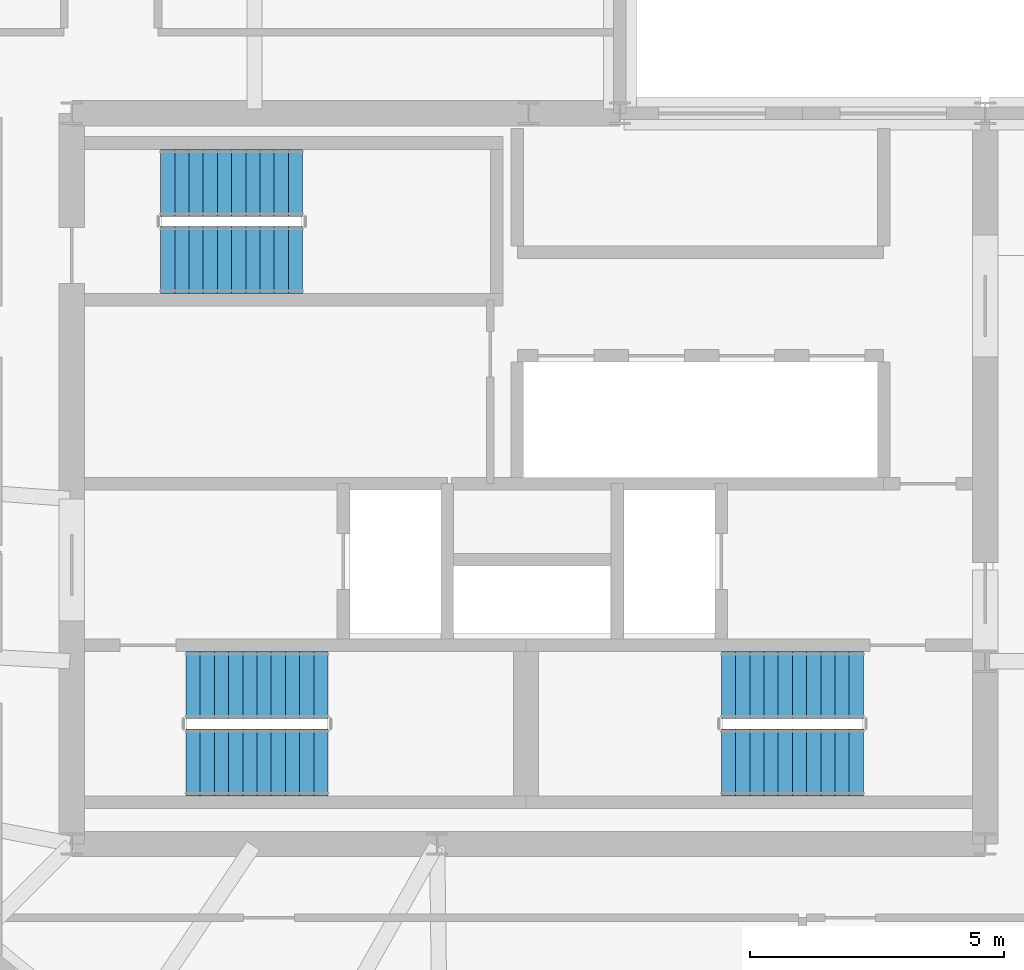
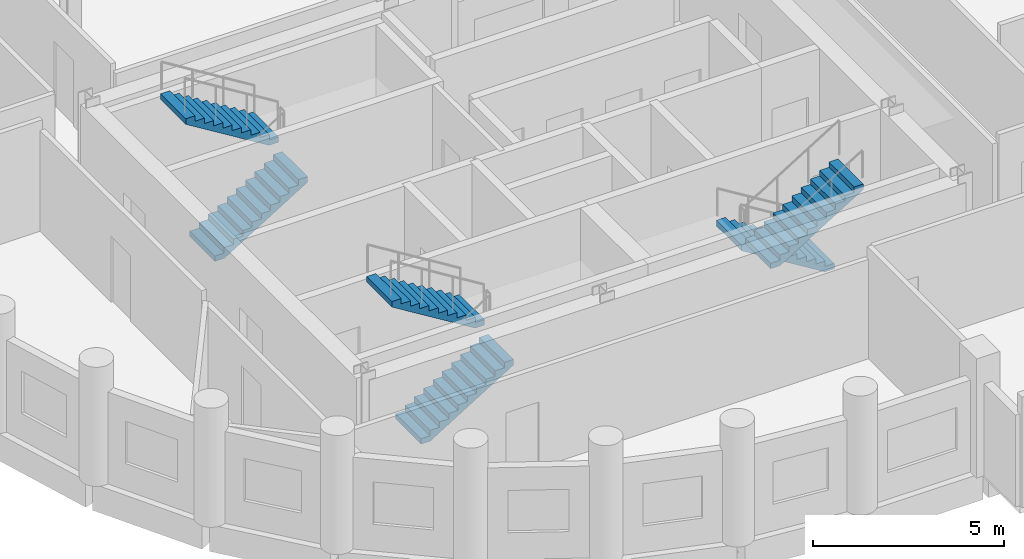
# One storey, part 6 of 7: 6 stair flights, 3 elements without a shape of their own.
"""IFC4 building model written with IfcOpenShell, lengths in metres."""

import ifcopenshell
import ifcopenshell.guid

model = None  # the IFC model being written
_history = None  # IfcOwnerHistory: only IFC2X3 demands one
_inside = {}  # id of a spatial element -> (the spatial element, [elements in it])
_under = {}  # id of a project, library or spatial element -> (it, [spatial elements below it])
_declared = {}  # id of a project -> (the project, [libraries it declares])
_typed = {}  # id of a type object -> (the type object, [elements of that type])
_made_of = {}  # id of a material, layer set ... -> (it, [elements and type objects made of it])


def new_model(schema):
    """Start an empty IFC model of exactly this schema.

    Asked for "IFC4X3", IfcOpenShell would pick the latest addendum, in which some entities
    have other attributes; the version numbers below select the first issue.
    IFC2X3 requires an IfcOwnerHistory on every rooted entity: one is made here for all.
    """
    global model, _history
    if schema == "IFC4X3":
        model = ifcopenshell.file(schema_version=(4, 3, 0, 0))
    else:
        model = ifcopenshell.file(schema=schema)
    _inside.clear()
    _under.clear()
    _declared.clear()
    _typed.clear()
    _made_of.clear()
    _history = None
    if model.schema == "IFC2X3":
        org = make("IfcOrganization", Name="unknown")
        user = make(
            "IfcPersonAndOrganization",
            ThePerson=make("IfcPerson", FamilyName="unknown"),
            TheOrganization=org,
        )
        app = make(
            "IfcApplication",
            ApplicationDeveloper=org,
            Version="unknown",
            ApplicationFullName="unknown",
            ApplicationIdentifier="unknown",
        )
        _history = make(
            "IfcOwnerHistory",
            OwningUser=user,
            OwningApplication=app,
            ChangeAction="ADDED",
            CreationDate=0,
        )
    return model


def make(cls, **values):
    """One entity of the class cls with the attributes given. An attribute that is None is left unset."""
    return model.create_entity(
        cls, **{name: value for name, value in values.items() if value is not None}
    )


def rooted(cls, **values):
    """An entity with a GlobalId (a new one), such as an element, a storey or a relation."""
    return make(cls, GlobalId=ifcopenshell.guid.new(), OwnerHistory=_history, **values)


def si_unit(unit_type, name, prefix=None):
    """IfcSIUnit, for example si_unit("LENGTHUNIT", "METRE", prefix="MILLI")."""
    return make("IfcSIUnit", UnitType=unit_type, Prefix=prefix, Name=name)


def assignment(units):
    """IfcUnitAssignment: the units of a project."""
    return None if units is None else make("IfcUnitAssignment", Units=units)


def point(xyz):
    """IfcCartesianPoint."""
    return None if xyz is None else make("IfcCartesianPoint", Coordinates=xyz)


def direction(xyz):
    """IfcDirection."""
    return None if xyz is None else make("IfcDirection", DirectionRatios=xyz)


def frame(location, z_axis=None, x_axis=None):
    """IfcAxis2Placement3D, a coordinate frame: its origin and axes. An axis left out is left unset."""
    return make(
        "IfcAxis2Placement3D",
        Location=point(location),
        Axis=direction(z_axis),
        RefDirection=direction(x_axis),
    )


def origin():
    """The frame at (0, 0, 0) with its axes left unset."""
    return frame((0.0, 0.0, 0.0))


def place(relative_to, where):
    """IfcLocalPlacement: puts the frame where relative to a parent placement (None: the world)."""
    return make(
        "IfcLocalPlacement", PlacementRelTo=relative_to, RelativePlacement=where
    )


def context(
    kind, dimensions, precision=None, world=None, true_north=None, identifier=None
):
    """IfcGeometricRepresentationContext, for example the 3D "Model" context."""
    return make(
        "IfcGeometricRepresentationContext",
        ContextIdentifier=identifier,
        ContextType=kind,
        CoordinateSpaceDimension=dimensions,
        Precision=precision,
        WorldCoordinateSystem=world,
        TrueNorth=true_north,
    )


def subcontext(parent, identifier, kind, view, scale=None):
    """IfcGeometricRepresentationSubContext, for example "Body" below "Model"."""
    return make(
        "IfcGeometricRepresentationSubContext",
        ContextIdentifier=identifier,
        ContextType=kind,
        ParentContext=parent,
        TargetScale=scale,
        TargetView=view,
    )


def project(units=None, contexts=None):
    """IfcProject with its units and contexts."""
    return rooted(
        "IfcProject",
        Name="project",
        RepresentationContexts=contexts,
        UnitsInContext=assignment(units),
    )


def spatial(cls, under=None, at=None, **own):
    """A site, building, storey or space (cls), placed at a placement, below another one or the project."""
    s = rooted(cls, ObjectPlacement=at, **own)
    if under is not None:
        _under.setdefault(under.id(), (under, []))[1].append(s)
    return s


def polyline(points):
    """IfcPolyline through the points."""
    return make("IfcPolyline", Points=[point(p) for p in points])


def outline(outer, holes=None, kind="AREA"):
    """IfcArbitraryClosedProfileDef: a profile drawn as a closed curve; with holes, ...WithVoids."""
    if holes is None:
        return make("IfcArbitraryClosedProfileDef", ProfileType=kind, OuterCurve=outer)
    return make(
        "IfcArbitraryProfileDefWithVoids",
        ProfileType=kind,
        OuterCurve=outer,
        InnerCurves=holes,
    )


def extrude(swept, where, along, depth):
    """IfcExtrudedAreaSolid: the profile swept, set in the frame where, extruded along a direction by depth."""
    return make(
        "IfcExtrudedAreaSolid",
        SweptArea=swept,
        Position=where,
        ExtrudedDirection=direction(along),
        Depth=depth,
    )


def shape(context_of_items, identifier, shape_type, items):
    """IfcShapeRepresentation: the items that make up one representation, for example the "Body"."""
    return make(
        "IfcShapeRepresentation",
        ContextOfItems=context_of_items,
        RepresentationIdentifier=identifier,
        RepresentationType=shape_type,
        Items=items,
    )


def material(Name=None, Category=None):
    """IfcMaterial."""
    return make("IfcMaterial", Name=Name, Category=Category)


def made_of(thing, what):
    """Note that an element or type object is made of a material, layer set ...; save() writes the relation."""
    if what is not None:
        _made_of.setdefault(what.id(), (what, []))[1].append(thing)
    return thing


def type_object(cls, material=None, **own):
    """A type object (cls), such as IfcWallType, which elements share."""
    return made_of(rooted(cls, **own), material)


def element(
    cls,
    number,
    at=None,
    inside=None,
    cuts=None,
    type_object=None,
    material=None,
    context=None,
    identifier="Body",
    shape_type=None,
    held_by="IfcProductDefinitionShape",
    body=None,
    shapes=None,
    **own,
):
    """One element of the class cls, such as IfcWall. Its Tag is "e" and its number.

    at: its placement. inside: the storey or other place that contains it. cuts: it is an
    opening in that element (IfcRelVoidsElement). A single representation is given by context,
    identifier, shape_type and body (its items); several are given by shapes. held_by: the class
    of the entity that holds the representations. save() writes the other relations.
    """
    e = rooted(cls, Tag="e%d" % number, ObjectPlacement=at, **own)
    if body is not None:
        shapes = [shape(context, identifier, shape_type, body)]
    if shapes is not None:
        e.Representation = make(held_by, Representations=shapes)
    if inside is not None:
        _inside.setdefault(inside.id(), (inside, []))[1].append(e)
    if cuts is not None:
        rooted(
            "IfcRelVoidsElement", RelatingBuildingElement=cuts, RelatedOpeningElement=e
        )
    if type_object is not None:
        _typed.setdefault(type_object.id(), (type_object, []))[1].append(e)
    return made_of(e, material)


def aggregate(whole, parts):
    """IfcRelAggregates: a whole, such as a stair, and the parts it consists of."""
    return rooted("IfcRelAggregates", RelatingObject=whole, RelatedObjects=parts)


def save(model, path):
    """Write the relations noted so far, then the file.

    IfcRelAggregates (storeys below a building ...), IfcRelContainedInSpatialStructure (elements
    in a storey), IfcRelDefinesByType, IfcRelAssociatesMaterial and IfcRelDeclares: one each for
    every whole, place, type object, material and project.
    """
    for whole, parts in _under.values():
        aggregate(whole, parts)
    for where, things in _inside.values():
        rooted(
            "IfcRelContainedInSpatialStructure",
            RelatedElements=things,
            RelatingStructure=where,
        )
    for kind, things in _typed.values():
        rooted("IfcRelDefinesByType", RelatedObjects=things, RelatingType=kind)
    for what, things in _made_of.values():
        rooted("IfcRelAssociatesMaterial", RelatedObjects=things, RelatingMaterial=what)
    for by, libraries in _declared.values():
        rooted("IfcRelDeclares", RelatingContext=by, RelatedDefinitions=libraries)
    model.write(path)


model = new_model("IFC4")

# Units and contexts
model_context = context("Model", 3, precision=1e-05, world=origin(), true_north=direction((0.0, 1.0)))
body_context = subcontext(model_context, "Body", "Model", "MODEL_VIEW")
ifc_project = project(units=[si_unit("LENGTHUNIT", "METRE"), si_unit("AREAUNIT", "SQUARE_METRE"), si_unit("VOLUMEUNIT", "CUBIC_METRE"), si_unit("PLANEANGLEUNIT", "RADIAN"), si_unit("MASSUNIT", "GRAM", prefix="KILO")], contexts=[model_context])

# Site, building, storey
site_placement = place(None, origin())
site = spatial("IfcSite", under=ifc_project, at=site_placement, CompositionType="ELEMENT")
building_placement = place(site_placement, origin())
building = spatial("IfcBuilding", under=site, at=building_placement, Name="Solnavia Interchange Tower", CompositionType="ELEMENT")
storey_placement = place(building_placement, frame((0.0, 0.0, 201.39990234375)))
storey = spatial("IfcBuildingStorey", under=building, at=storey_placement, Name="L50", CompositionType="ELEMENT", Elevation=201.39990234375)

# Stair, stair flights
ifc_material = material(Name="Concrete C40/50", Category="concrete")
stair_type = type_object("IfcStairType", Name="Stair-Dogleg-RC", PredefinedType="HALF_TURN_STAIR", material=ifc_material)
stair_1_placement = place(storey_placement, origin())
stair_1 = element("IfcStair", 1, at=stair_1_placement, inside=storey, type_object=stair_type, Name="L50 Core exit stair 1", PredefinedType="HALF_TURN_STAIR")
stair_flight_type = type_object("IfcStairFlightType", Name="StairFlight-RC-150", PredefinedType="STRAIGHT", material=ifc_material)
stair_flight_1_placement = place(storey_placement, frame((16.64990234375, 12.409912109375, 0.0), z_axis=(0.0, 0.0, 1.0), x_axis=(1.0, 0.0, 0.0)))
stair_flight_1 = element("IfcStairFlight", 2, at=stair_flight_1_placement, type_object=stair_flight_type, Name="ST-1 flight 1", NumberOfRisers=11, NumberOfTreads=10, PredefinedType="STRAIGHT", RiserHeight=0.172727273, TreadLength=0.28, context=body_context, shape_type="SweptSolid", body=[
    extrude(outline(polyline([(0.0, 0.0), (0.0, 0.172607421875), (0.280029296875, 0.172607421875), (0.280029296875, 0.345458984375), (0.56005859375, 0.345458984375), (0.56005859375, 0.51806640625), (0.840087890625, 0.51806640625), (0.840087890625, 0.69091796875), (1.1201171875, 0.69091796875), (1.1201171875, 0.863525390625), (1.39990234375, 0.863525390625), (1.39990234375, 1.036376953125), (1.679931640625, 1.036376953125), (1.679931640625, 1.208984375), (1.9599609375, 1.208984375), (1.9599609375, 1.3818359375), (2.239990234375, 1.3818359375), (2.239990234375, 1.554443359375), (2.52001953125, 1.554443359375), (2.52001953125, 1.727294921875), (2.800048828125, 1.727294921875), (2.800048828125, 1.89990234375), (2.800048828125, 1.551025390625), (0.285400390625, 0.0), (0.0, 0.0)])), frame((0.0, 0.66015625, 0.0), z_axis=(0.0, -1.0, 0.0), x_axis=(1.0, 0.0, 0.0)), (0.0, 0.0, 1.0), 1.320068359375),
])
stair_flight_2_placement = place(storey_placement, frame((19.449951171875, 13.929931640625, 1.900146484375), z_axis=(0.0, 0.0, 1.0), x_axis=(-1.0, 0.0, 0.0)))
stair_flight_2 = element("IfcStairFlight", 3, at=stair_flight_2_placement, type_object=stair_flight_type, Name="ST-1 flight 2", NumberOfRisers=11, NumberOfTreads=10, PredefinedType="STRAIGHT", RiserHeight=0.172727273, TreadLength=0.28, context=body_context, shape_type="SweptSolid", body=[
    extrude(outline(polyline([(0.0, 0.0), (0.0, 0.172607421875), (0.280029296875, 0.172607421875), (0.280029296875, 0.345458984375), (0.56005859375, 0.345458984375), (0.56005859375, 0.51806640625), (0.840087890625, 0.51806640625), (0.840087890625, 0.69091796875), (1.1201171875, 0.69091796875), (1.1201171875, 0.863525390625), (1.39990234375, 0.863525390625), (1.39990234375, 1.036376953125), (1.679931640625, 1.036376953125), (1.679931640625, 1.208984375), (1.9599609375, 1.208984375), (1.9599609375, 1.3818359375), (2.239990234375, 1.3818359375), (2.239990234375, 1.554443359375), (2.52001953125, 1.554443359375), (2.52001953125, 1.727294921875), (2.800048828125, 1.727294921875), (2.800048828125, 1.89990234375), (2.800048828125, 1.551025390625), (0.285400390625, 0.0), (0.0, 0.0)])), frame((0.0, 0.66015625, 0.0), z_axis=(0.0, -1.0, 0.0), x_axis=(1.0, 0.0, 0.0)), (0.0, 0.0, 1.0), 1.320068359375),
])
aggregate(stair_1, [stair_flight_1, stair_flight_2])

stair_2_placement = place(storey_placement, origin())
stair_2 = element("IfcStair", 4, at=stair_2_placement, inside=storey, type_object=stair_type, Name="L50 Core exit stair 2", PredefinedType="HALF_TURN_STAIR")
stair_flight_3_placement = place(storey_placement, frame((30.0, 13.929931640625, 0.0), z_axis=(0.0, 0.0, 1.0), x_axis=(-1.0, 0.0, 0.0)))
stair_flight_3 = element("IfcStairFlight", 5, at=stair_flight_3_placement, type_object=stair_flight_type, Name="ST-2 flight 1", NumberOfRisers=11, NumberOfTreads=10, PredefinedType="STRAIGHT", RiserHeight=0.172727273, TreadLength=0.28, context=body_context, shape_type="SweptSolid", body=[
    extrude(outline(polyline([(0.0, 0.0), (0.0, 0.172607421875), (0.280029296875, 0.172607421875), (0.280029296875, 0.345458984375), (0.56005859375, 0.345458984375), (0.56005859375, 0.51806640625), (0.840087890625, 0.51806640625), (0.840087890625, 0.69091796875), (1.1201171875, 0.69091796875), (1.1201171875, 0.863525390625), (1.39990234375, 0.863525390625), (1.39990234375, 1.036376953125), (1.679931640625, 1.036376953125), (1.679931640625, 1.208984375), (1.9599609375, 1.208984375), (1.9599609375, 1.3818359375), (2.239990234375, 1.3818359375), (2.239990234375, 1.554443359375), (2.52001953125, 1.554443359375), (2.52001953125, 1.727294921875), (2.800048828125, 1.727294921875), (2.800048828125, 1.89990234375), (2.800048828125, 1.551025390625), (0.285400390625, 0.0), (0.0, 0.0)])), frame((0.0, 0.66015625, 0.0), z_axis=(0.0, -1.0, 0.0), x_axis=(1.0, 0.0, 0.0)), (0.0, 0.0, 1.0), 1.320068359375),
])
stair_flight_4_placement = place(storey_placement, frame((27.199951171875, 12.409912109375, 1.900146484375), z_axis=(0.0, 0.0, 1.0), x_axis=(1.0, 0.0, 0.0)))
stair_flight_4 = element("IfcStairFlight", 6, at=stair_flight_4_placement, type_object=stair_flight_type, Name="ST-2 flight 2", NumberOfRisers=11, NumberOfTreads=10, PredefinedType="STRAIGHT", RiserHeight=0.172727273, TreadLength=0.28, context=body_context, shape_type="SweptSolid", body=[
    extrude(outline(polyline([(0.0, 0.0), (0.0, 0.172607421875), (0.280029296875, 0.172607421875), (0.280029296875, 0.345458984375), (0.56005859375, 0.345458984375), (0.56005859375, 0.51806640625), (0.840087890625, 0.51806640625), (0.840087890625, 0.69091796875), (1.1201171875, 0.69091796875), (1.1201171875, 0.863525390625), (1.39990234375, 0.863525390625), (1.39990234375, 1.036376953125), (1.679931640625, 1.036376953125), (1.679931640625, 1.208984375), (1.9599609375, 1.208984375), (1.9599609375, 1.3818359375), (2.239990234375, 1.3818359375), (2.239990234375, 1.554443359375), (2.52001953125, 1.554443359375), (2.52001953125, 1.727294921875), (2.800048828125, 1.727294921875), (2.800048828125, 1.89990234375), (2.800048828125, 1.551025390625), (0.285400390625, 0.0), (0.0, 0.0)])), frame((0.0, 0.66015625, 0.0), z_axis=(0.0, -1.0, 0.0), x_axis=(1.0, 0.0, 0.0)), (0.0, 0.0, 1.0), 1.320068359375),
])
aggregate(stair_2, [stair_flight_3, stair_flight_4])

stair_3_placement = place(storey_placement, origin())
stair_3 = element("IfcStair", 7, at=stair_3_placement, inside=storey, type_object=stair_type, Name="L50 Core exit stair 3", PredefinedType="HALF_TURN_STAIR")
stair_flight_5_placement = place(storey_placement, frame((16.14990234375, 22.31005859375, 0.0), z_axis=(0.0, 0.0, 1.0), x_axis=(1.0, 0.0, 0.0)))
stair_flight_5 = element("IfcStairFlight", 8, at=stair_flight_5_placement, type_object=stair_flight_type, Name="ST-3 flight 1", NumberOfRisers=11, NumberOfTreads=10, PredefinedType="STRAIGHT", RiserHeight=0.172727273, TreadLength=0.28, context=body_context, shape_type="SweptSolid", body=[
    extrude(outline(polyline([(0.0, 0.0), (0.0, 0.172607421875), (0.280029296875, 0.172607421875), (0.280029296875, 0.345458984375), (0.56005859375, 0.345458984375), (0.56005859375, 0.51806640625), (0.840087890625, 0.51806640625), (0.840087890625, 0.69091796875), (1.1201171875, 0.69091796875), (1.1201171875, 0.863525390625), (1.39990234375, 0.863525390625), (1.39990234375, 1.036376953125), (1.679931640625, 1.036376953125), (1.679931640625, 1.208984375), (1.9599609375, 1.208984375), (1.9599609375, 1.3818359375), (2.239990234375, 1.3818359375), (2.239990234375, 1.554443359375), (2.52001953125, 1.554443359375), (2.52001953125, 1.727294921875), (2.800048828125, 1.727294921875), (2.800048828125, 1.89990234375), (2.800048828125, 1.551025390625), (0.285400390625, 0.0), (0.0, 0.0)])), frame((0.0, 0.66015625, 0.0), z_axis=(0.0, -1.0, 0.0), x_axis=(1.0, 0.0, 0.0)), (0.0, 0.0, 1.0), 1.320068359375),
])
stair_flight_6_placement = place(storey_placement, frame((18.949951171875, 23.830078125, 1.900146484375), z_axis=(0.0, 0.0, 1.0), x_axis=(-1.0, 0.0, 0.0)))
stair_flight_6 = element("IfcStairFlight", 9, at=stair_flight_6_placement, type_object=stair_flight_type, Name="ST-3 flight 2", NumberOfRisers=11, NumberOfTreads=10, PredefinedType="STRAIGHT", RiserHeight=0.172727273, TreadLength=0.28, context=body_context, shape_type="SweptSolid", body=[
    extrude(outline(polyline([(0.0, 0.0), (0.0, 0.172607421875), (0.280029296875, 0.172607421875), (0.280029296875, 0.345458984375), (0.56005859375, 0.345458984375), (0.56005859375, 0.51806640625), (0.840087890625, 0.51806640625), (0.840087890625, 0.69091796875), (1.1201171875, 0.69091796875), (1.1201171875, 0.863525390625), (1.39990234375, 0.863525390625), (1.39990234375, 1.036376953125), (1.679931640625, 1.036376953125), (1.679931640625, 1.208984375), (1.9599609375, 1.208984375), (1.9599609375, 1.3818359375), (2.239990234375, 1.3818359375), (2.239990234375, 1.554443359375), (2.52001953125, 1.554443359375), (2.52001953125, 1.727294921875), (2.800048828125, 1.727294921875), (2.800048828125, 1.89990234375), (2.800048828125, 1.551025390625), (0.285400390625, 0.0), (0.0, 0.0)])), frame((0.0, 0.66015625, 0.0), z_axis=(0.0, -1.0, 0.0), x_axis=(1.0, 0.0, 0.0)), (0.0, 0.0, 1.0), 1.320068359375),
])
aggregate(stair_3, [stair_flight_5, stair_flight_6])

save(model, "model.ifc")
